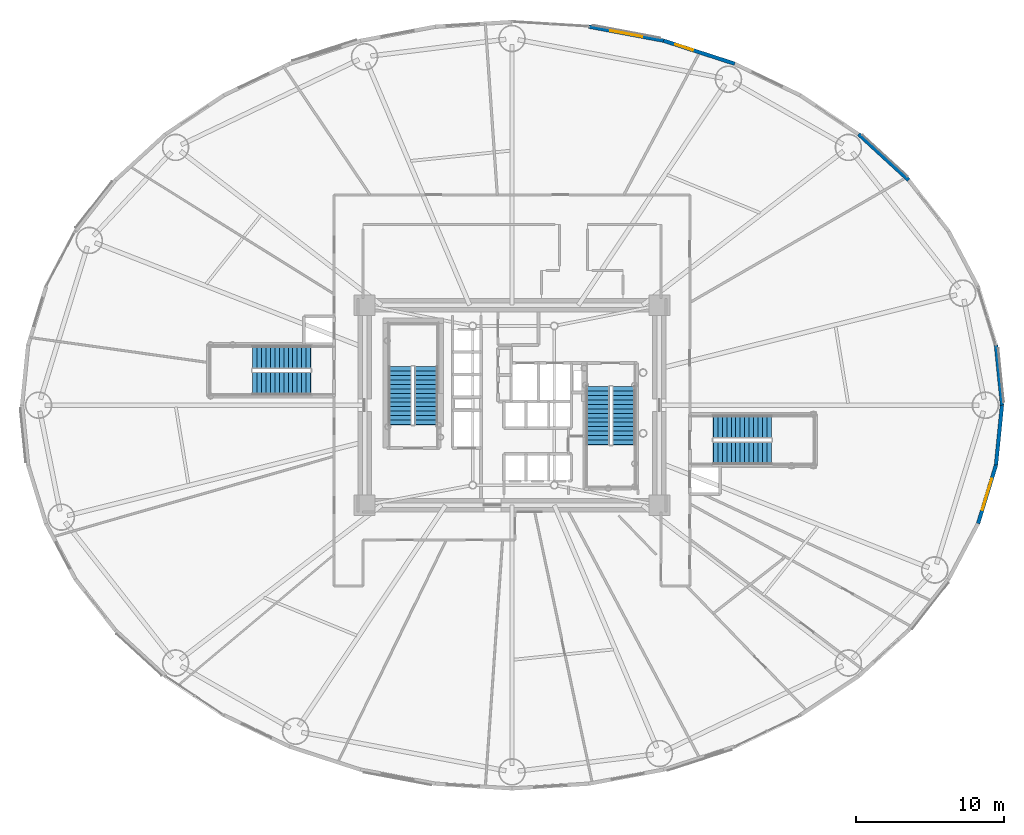
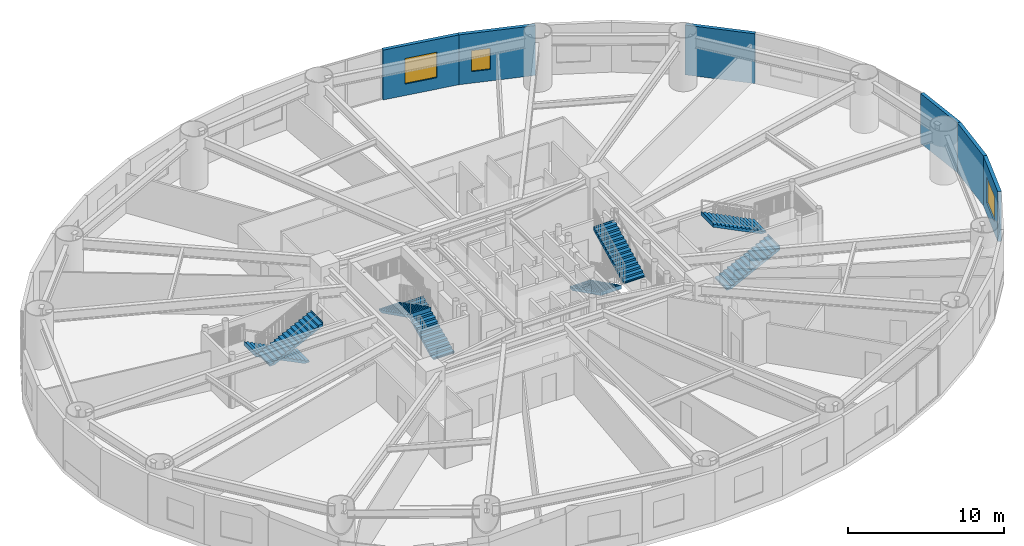
# One storey, part 17 of 27: 8 stair flights, 6 walls, 3 windows, 3 openings, 4 elements without a shape of their own.
"""IFC4 building model written with IfcOpenShell, lengths in metres."""

from ifc_helpers import new_model, si_unit, direction, frame, frame_2d, origin, origin_2d, place, context, subcontext, project, spatial, polyline, rectangle, outline, extrude, source, transform, mapped, material, layer, layer_set, type_object, element, fill, aggregate, save


model = new_model("IFC4")

# Units and contexts
model_context = context("Model", 3, precision=1e-05, world=origin(), true_north=direction((0.0, 1.0)))
body_context = subcontext(model_context, "Body", "Model", "MODEL_VIEW")
ifc_project = project(units=[si_unit("LENGTHUNIT", "METRE"), si_unit("AREAUNIT", "SQUARE_METRE"), si_unit("VOLUMEUNIT", "CUBIC_METRE"), si_unit("PLANEANGLEUNIT", "RADIAN"), si_unit("MASSUNIT", "GRAM", prefix="KILO")], contexts=[model_context])

# Site, building, storey
site_placement = place(None, origin())
site = spatial("IfcSite", under=ifc_project, at=site_placement, CompositionType="ELEMENT")
building_placement = place(site_placement, origin())
building = spatial("IfcBuilding", under=site, at=building_placement, Name="Linh Dai School and Residence Tower", CompositionType="ELEMENT")
storey_placement = place(building_placement, frame((0.0, 0.0, 14.39990234375)))
storey = spatial("IfcBuildingStorey", under=building, at=storey_placement, Name="L03", CompositionType="ELEMENT", Elevation=14.39990234375)

# Walls
ifc_material_1 = material(Name="Precast Concrete B45 (C35/45)", Category="concrete")
ifc_layer = layer(ifc_material_1, 0.25)
ifc_layer_set = layer_set([ifc_layer], Name="Precast Concrete B45 (C35/45)")
wall_type = type_object("IfcWallType", Name="EW-TC-250", PredefinedType="SOLIDWALL", material=ifc_layer_set)
wall_1_placement = place(storey_placement, frame((68.668701171875, 31.04248046875, 0.0), z_axis=(0.0, 0.0, 1.0), x_axis=(0.099991575324, -0.994988283782, 0.0)))
element("IfcWall", 1, at=wall_1_placement, inside=storey, type_object=wall_type, Name="L03 Terracotta Exterior Wall 01", PredefinedType="SOLIDWALL", context=body_context, shape_type="SweptSolid", body=[
    extrude(rectangle(XDim=4.062744140625, YDim=0.25, at=frame_2d((2.03125, 0.0))), origin(), (0.0, 0.0, 1.0), 3.900146484375),
])
wall_2_placement = place(storey_placement, frame((59.39892578125, 45.286376953125, 0.0), z_axis=(0.0, 0.0, 1.0), x_axis=(0.737076532105, -0.675809282136, 0.0)))
element("IfcWall", 2, at=wall_2_placement, inside=storey, type_object=wall_type, Name="L03 Terracotta Exterior Wall 05", PredefinedType="SOLIDWALL", context=body_context, shape_type="SweptSolid", body=[
    extrude(rectangle(XDim=4.570556640625, YDim=0.25, at=frame_2d((2.28515625, 0.0))), origin(), (0.0, 0.0, 1.0), 3.900146484375),
])

# Wall, opening, window
wall_3_placement = place(storey_placement, frame((46.228515625, 51.6064453125, 0.0), z_axis=(0.0, 0.0, 1.0), x_axis=(0.951198629726, -0.308579271513, 0.0)))
wall_3 = element("IfcWall", 3, at=wall_3_placement, inside=storey, type_object=wall_type, Name="L03 Terracotta Exterior Wall 08", PredefinedType="SOLIDWALL", context=body_context, shape_type="SweptSolid", body=[
    extrude(rectangle(XDim=5.043701171875, YDim=0.25, at=frame_2d((2.52197265625, 0.0))), origin(), (0.0, 0.0, 1.0), 3.900146484375),
])
opening_1_placement = place(wall_3_placement, frame((0.837890625, 0.0, 0.89990234375)))
opening_1 = element("IfcOpeningElement", 4, at=opening_1_placement, cuts=wall_3, Name="Opening W3", PredefinedType="OPENING", context=body_context, shape_type="SweptSolid", body=[
    extrude(rectangle(XDim=1.25, YDim=1.64990234375, at=origin_2d()), frame((0.625, 0.135009765625, 0.824951171875), z_axis=(0.0, -1.0, 0.0), x_axis=(1.0, 0.0, 0.0)), (0.0, 0.0, 1.0), 0.27001953125),
])
ifc_material_2 = material(Name="Double Low-E Insulated Glazing", Category="glass")
window_type_1 = type_object("IfcWindowType", Name="WN-RES-1250x1650", PartitioningType="SINGLE_PANEL", PredefinedType="WINDOW", material=ifc_material_2)
shared_shape_1 = source(origin(), body_context, "Body", "SweptSolid", [
    extrude(rectangle(XDim=1.25, YDim=1.64990234375, at=origin_2d()), frame((0.625, 0.030029296875, 0.824951171875), z_axis=(0.0, -1.0, 0.0), x_axis=(1.0, 0.0, 0.0)), (0.0, 0.0, 1.0), 0.06005859375),
])
window_1_placement = place(opening_1_placement, origin())
window_1 = element("IfcWindow", 5, at=window_1_placement, inside=storey, type_object=window_type_1, Name="L03 Exterior Window 08.1", OverallHeight=1.64990234375, OverallWidth=1.25, PartitioningType="SINGLE_PANEL", PredefinedType="WINDOW", context=body_context, shape_type="MappedRepresentation", body=[
    mapped(shared_shape_1, transform((0.0, 0.0, 0.0), x_axis=(1.0, 0.0, 0.0), y_axis=(0.0, 1.0, 0.0), z_axis=(0.0, 0.0, 1.0), scale=1.0)),
])
fill(opening_1, window_1)

wall_4_placement = place(storey_placement, frame((41.17822265625, 52.555908203125, 0.0), z_axis=(0.0, 0.0, 1.0), x_axis=(0.98278278947, -0.184764684726, 0.0)))
wall_4 = element("IfcWall", 6, at=wall_4_placement, inside=storey, type_object=wall_type, Name="L03 Terracotta Exterior Wall 09", PredefinedType="SOLIDWALL", context=body_context, shape_type="SweptSolid", body=[
    extrude(rectangle(XDim=5.138671875, YDim=0.25, at=frame_2d((2.5693359375, 0.0))), origin(), (0.0, 0.0, 1.0), 3.900146484375),
])
opening_2_placement = place(wall_4_placement, frame((1.469482421875, 0.0, 0.89990234375)))
opening_2 = element("IfcOpeningElement", 7, at=opening_2_placement, cuts=wall_4, Name="Opening W4", PredefinedType="OPENING", context=body_context, shape_type="SweptSolid", body=[
    extrude(rectangle(XDim=2.199951171875, YDim=2.0, at=origin_2d()), frame((1.10009765625, 0.135009765625, 1.0), z_axis=(0.0, -1.0, 0.0), x_axis=(1.0, 0.0, 0.0)), (0.0, 0.0, 1.0), 0.27001953125),
])
ifc_material_3 = material(Name="Acoustic Laminated Low-E Glazing", Category="glass")
window_type_2 = type_object("IfcWindowType", Name="WN-SCH-2200x2000", PartitioningType="TRIPLE_PANEL_VERTICAL", PredefinedType="WINDOW", material=ifc_material_3)
shared_shape_2 = source(origin(), body_context, "Body", "SweptSolid", [
    extrude(rectangle(XDim=2.199951171875, YDim=2.0, at=origin_2d()), frame((1.10009765625, 0.030029296875, 1.0), z_axis=(0.0, -1.0, 0.0), x_axis=(1.0, 0.0, 0.0)), (0.0, 0.0, 1.0), 0.06005859375),
])
window_2_placement = place(opening_2_placement, origin())
window_2 = element("IfcWindow", 8, at=window_2_placement, inside=storey, type_object=window_type_2, Name="L03 Exterior Window 09.1", OverallHeight=2.0, OverallWidth=2.199951171875, PartitioningType="TRIPLE_PANEL_VERTICAL", PredefinedType="WINDOW", context=body_context, shape_type="MappedRepresentation", body=[
    mapped(shared_shape_2, transform((0.0, 0.0, 0.0), x_axis=(1.0, 0.0, 0.0), y_axis=(0.0, 1.0, 0.0), z_axis=(0.0, 0.0, 1.0), scale=1.0)),
])
fill(opening_2, window_2)

wall_5_placement = place(storey_placement, frame((68.668701171875, 22.95751953125, 0.0), z_axis=(0.0, 0.0, 1.0), x_axis=(-0.293070945898, -0.956090696885, 0.0)))
wall_5 = element("IfcWall", 9, at=wall_5_placement, inside=storey, type_object=wall_type, Name="L03 Terracotta Exterior Wall 39", PredefinedType="SOLIDWALL", context=body_context, shape_type="SweptSolid", body=[
    extrude(rectangle(XDim=4.125244140625, YDim=0.25, at=frame_2d((2.0625, 0.0))), origin(), (0.0, 0.0, 1.0), 3.900146484375),
])
opening_3_placement = place(wall_5_placement, frame((0.962646484375, 0.0, 0.89990234375)))
opening_3 = element("IfcOpeningElement", 10, at=opening_3_placement, cuts=wall_5, Name="Opening W4", PredefinedType="OPENING", context=body_context, shape_type="SweptSolid", body=[
    extrude(rectangle(XDim=2.199951171875, YDim=2.0, at=origin_2d()), frame((1.10009765625, 0.135009765625, 1.0), z_axis=(0.0, -1.0, 0.0), x_axis=(1.0, 0.0, 0.0)), (0.0, 0.0, 1.0), 0.27001953125),
])
window_3_placement = place(opening_3_placement, origin())
window_3 = element("IfcWindow", 11, at=window_3_placement, inside=storey, type_object=window_type_2, Name="L03 Exterior Window 39.1", OverallHeight=2.0, OverallWidth=2.199951171875, PartitioningType="TRIPLE_PANEL_VERTICAL", PredefinedType="WINDOW", context=body_context, shape_type="MappedRepresentation", body=[
    mapped(shared_shape_2, transform((0.0, 0.0, 0.0), x_axis=(1.0, 0.0, 0.0), y_axis=(0.0, 1.0, 0.0), z_axis=(0.0, 0.0, 1.0), scale=1.0)),
])
fill(opening_3, window_3)

# Wall
wall_6_placement = place(storey_placement, frame((69.074951171875, 27.0, 0.0), z_axis=(0.0, 0.0, 1.0), x_axis=(-0.099991575324, -0.994988283782, 0.0)))
element("IfcWall", 12, at=wall_6_placement, inside=storey, type_object=wall_type, Name="L03 Terracotta Exterior Wall 40", PredefinedType="SOLIDWALL", context=body_context, shape_type="SweptSolid", body=[
    extrude(rectangle(XDim=4.062744140625, YDim=0.25, at=frame_2d((2.03125, 0.0))), origin(), (0.0, 0.0, 1.0), 3.900146484375),
])

# Stair, stair flights
ifc_material_4 = material(Name="Concrete B45 (C35/45)", Category="concrete")
stair_type = type_object("IfcStairType", Name="ST-DOG-1550-R1500", PredefinedType="HALF_TURN_STAIR", material=ifc_material_4)
stair_1_placement = place(storey_placement, origin())
stair_1 = element("IfcStair", 13, at=stair_1_placement, inside=storey, type_object=stair_type, Name="L03 Core Smokeproof Exit Stair ST1", PredefinedType="HALF_TURN_STAIR")
stair_flight_type = type_object("IfcStairFlightType", Name="STF-STR-1550-R1500", PredefinedType="STRAIGHT", material=ifc_material_4)
shared_shape_3 = source(origin(), body_context, "Body", "SweptSolid", [
    extrude(outline(polyline([(-0.02490234375, 0.0), (-0.02490234375, 0.06005859375), (0.0, 0.06005859375), (0.0, 0.14990234375), (0.300048828125, 0.14990234375), (0.300048828125, 0.300048828125), (0.60009765625, 0.300048828125), (0.60009765625, 0.449951171875), (0.89990234375, 0.449951171875), (0.89990234375, 0.60009765625), (1.199951171875, 0.60009765625), (1.199951171875, 0.75), (1.5, 0.75), (1.5, 0.89990234375), (1.800048828125, 0.89990234375), (1.800048828125, 1.050048828125), (2.10009765625, 1.050048828125), (2.10009765625, 1.199951171875), (2.39990234375, 1.199951171875), (2.39990234375, 1.35009765625), (2.699951171875, 1.35009765625), (2.699951171875, 1.5), (3.0, 1.5), (3.0, 1.64990234375), (3.300048828125, 1.64990234375), (3.300048828125, 1.800048828125), (3.60009765625, 1.800048828125), (3.60009765625, 1.949951171875), (3.89990234375, 1.949951171875), (3.89990234375, 2.10009765625), (3.925048828125, 2.10009765625), (3.925048828125, 1.782470703125), (3.89990234375, 1.782470703125), (0.335205078125, 0.0), (-0.02490234375, 0.0)])), frame((0.0, 0.77490234375, 0.0), z_axis=(0.0, -1.0, 0.0), x_axis=(1.0, 0.0, 0.0)), (0.0, 0.0, 1.0), 1.550048828125),
])
stair_flight_1_placement = place(storey_placement, frame((30.205078125, 25.699951171875, 0.0), z_axis=(0.0, 0.0, 1.0), x_axis=(0.0, 1.0, 0.0)))
stair_flight_1 = element("IfcStairFlight", 14, at=stair_flight_1_placement, type_object=stair_flight_type, Name="ST1 flight 1", NumberOfRisers=14, NumberOfTreads=13, PredefinedType="STRAIGHT", RiserHeight=0.15, TreadLength=0.3, context=body_context, shape_type="MappedRepresentation", body=[
    mapped(shared_shape_3, transform((0.0, 0.0, 0.0), x_axis=(1.0, 0.0, 0.0), y_axis=(0.0, 1.0, 0.0), z_axis=(0.0, 0.0, 1.0), scale=1.0)),
])
stair_flight_2_placement = place(storey_placement, frame((28.455078125, 29.60009765625, 2.10009765625), z_axis=(0.0, 0.0, 1.0), x_axis=(0.0, -1.0, 0.0)))
stair_flight_2 = element("IfcStairFlight", 15, at=stair_flight_2_placement, type_object=stair_flight_type, Name="ST1 flight 2", NumberOfRisers=14, NumberOfTreads=13, PredefinedType="STRAIGHT", RiserHeight=0.15, TreadLength=0.3, context=body_context, shape_type="MappedRepresentation", body=[
    mapped(shared_shape_3, transform((0.0, 0.0, 0.0), x_axis=(1.0, 0.0, 0.0), y_axis=(0.0, 1.0, 0.0), z_axis=(0.0, 0.0, 1.0), scale=1.0)),
])
aggregate(stair_1, [stair_flight_1, stair_flight_2])

stair_2_placement = place(storey_placement, origin())
stair_2 = element("IfcStair", 16, at=stair_2_placement, inside=storey, type_object=stair_type, Name="L03 Core Smokeproof Exit Stair ST2", PredefinedType="HALF_TURN_STAIR")
stair_flight_3_placement = place(storey_placement, frame((41.794921875, 28.25, 0.0), z_axis=(0.0, 0.0, 1.0), x_axis=(0.0, -1.0, 0.0)))
stair_flight_3 = element("IfcStairFlight", 17, at=stair_flight_3_placement, type_object=stair_flight_type, Name="ST2 flight 1", NumberOfRisers=14, NumberOfTreads=13, PredefinedType="STRAIGHT", RiserHeight=0.15, TreadLength=0.3, context=body_context, shape_type="MappedRepresentation", body=[
    mapped(shared_shape_3, transform((0.0, 0.0, 0.0), x_axis=(1.0, 0.0, 0.0), y_axis=(0.0, 1.0, 0.0), z_axis=(0.0, 0.0, 1.0), scale=1.0)),
])
stair_flight_4_placement = place(storey_placement, frame((43.544921875, 24.35009765625, 2.10009765625), z_axis=(0.0, 0.0, 1.0), x_axis=(0.0, 1.0, 0.0)))
stair_flight_4 = element("IfcStairFlight", 18, at=stair_flight_4_placement, type_object=stair_flight_type, Name="ST2 flight 2", NumberOfRisers=14, NumberOfTreads=13, PredefinedType="STRAIGHT", RiserHeight=0.15, TreadLength=0.3, context=body_context, shape_type="MappedRepresentation", body=[
    mapped(shared_shape_3, transform((0.0, 0.0, 0.0), x_axis=(1.0, 0.0, 0.0), y_axis=(0.0, 1.0, 0.0), z_axis=(0.0, 0.0, 1.0), scale=1.0)),
])
aggregate(stair_2, [stair_flight_3, stair_flight_4])

stair_3_placement = place(storey_placement, origin())
stair_3 = element("IfcStair", 19, at=stair_3_placement, inside=storey, type_object=stair_type, Name="L03 School Exit Stair STS1", PredefinedType="HALF_TURN_STAIR")
stair_flight_5_placement = place(storey_placement, frame((22.39990234375, 30.22509765625, 0.0), z_axis=(0.0, 0.0, 1.0), x_axis=(-1.0, 0.0, 0.0)))
stair_flight_5 = element("IfcStairFlight", 20, at=stair_flight_5_placement, type_object=stair_flight_type, Name="STS1 flight 1", NumberOfRisers=14, NumberOfTreads=13, PredefinedType="STRAIGHT", RiserHeight=0.15, TreadLength=0.3, context=body_context, shape_type="MappedRepresentation", body=[
    mapped(shared_shape_3, transform((0.0, 0.0, 0.0), x_axis=(1.0, 0.0, 0.0), y_axis=(0.0, 1.0, 0.0), z_axis=(0.0, 0.0, 1.0), scale=1.0)),
])
stair_flight_6_placement = place(storey_placement, frame((18.5, 28.47509765625, 2.10009765625), z_axis=(0.0, 0.0, 1.0), x_axis=(1.0, 0.0, 0.0)))
stair_flight_6 = element("IfcStairFlight", 21, at=stair_flight_6_placement, type_object=stair_flight_type, Name="STS1 flight 2", NumberOfRisers=14, NumberOfTreads=13, PredefinedType="STRAIGHT", RiserHeight=0.15, TreadLength=0.3, context=body_context, shape_type="MappedRepresentation", body=[
    mapped(shared_shape_3, transform((0.0, 0.0, 0.0), x_axis=(1.0, 0.0, 0.0), y_axis=(0.0, 1.0, 0.0), z_axis=(0.0, 0.0, 1.0), scale=1.0)),
])
aggregate(stair_3, [stair_flight_5, stair_flight_6])

stair_4_placement = place(storey_placement, origin())
stair_4 = element("IfcStair", 22, at=stair_4_placement, inside=storey, type_object=stair_type, Name="L03 School Exit Stair STS2", PredefinedType="HALF_TURN_STAIR")
stair_flight_7_placement = place(storey_placement, frame((49.60009765625, 23.77490234375, 0.0), z_axis=(0.0, 0.0, 1.0), x_axis=(1.0, 0.0, 0.0)))
stair_flight_7 = element("IfcStairFlight", 23, at=stair_flight_7_placement, type_object=stair_flight_type, Name="STS2 flight 1", NumberOfRisers=14, NumberOfTreads=13, PredefinedType="STRAIGHT", RiserHeight=0.15, TreadLength=0.3, context=body_context, shape_type="MappedRepresentation", body=[
    mapped(shared_shape_3, transform((0.0, 0.0, 0.0), x_axis=(1.0, 0.0, 0.0), y_axis=(0.0, 1.0, 0.0), z_axis=(0.0, 0.0, 1.0), scale=1.0)),
])
stair_flight_8_placement = place(storey_placement, frame((53.5, 25.52490234375, 2.10009765625), z_axis=(0.0, 0.0, 1.0), x_axis=(-1.0, 0.0, 0.0)))
stair_flight_8 = element("IfcStairFlight", 24, at=stair_flight_8_placement, type_object=stair_flight_type, Name="STS2 flight 2", NumberOfRisers=14, NumberOfTreads=13, PredefinedType="STRAIGHT", RiserHeight=0.15, TreadLength=0.3, context=body_context, shape_type="MappedRepresentation", body=[
    mapped(shared_shape_3, transform((0.0, 0.0, 0.0), x_axis=(1.0, 0.0, 0.0), y_axis=(0.0, 1.0, 0.0), z_axis=(0.0, 0.0, 1.0), scale=1.0)),
])
aggregate(stair_4, [stair_flight_7, stair_flight_8])

save(model, "model.ifc")
